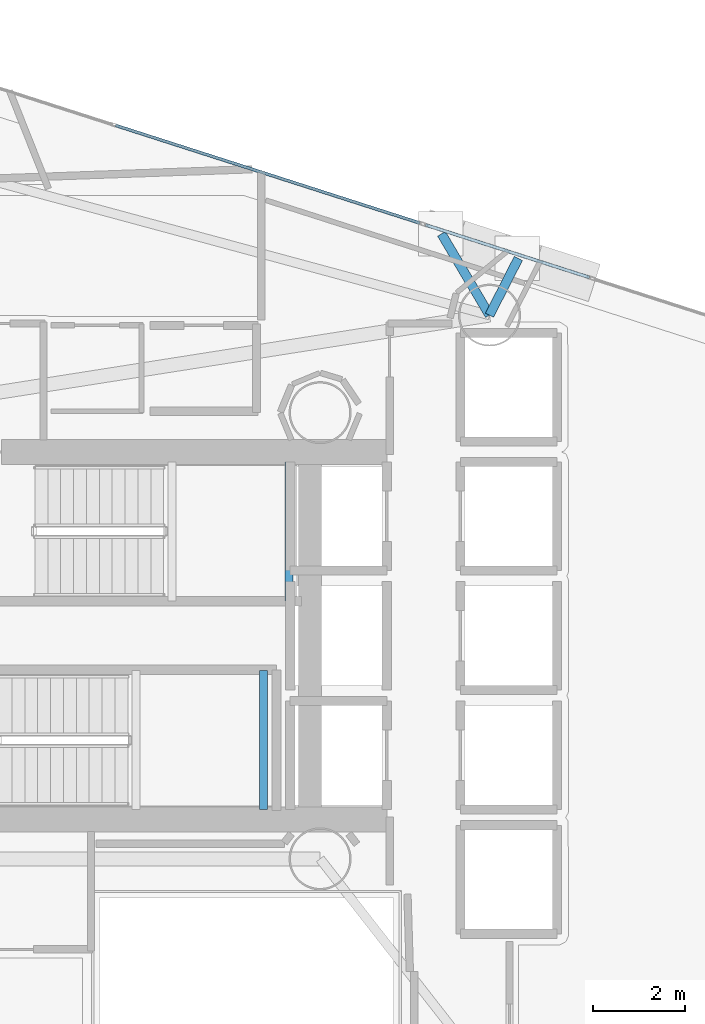
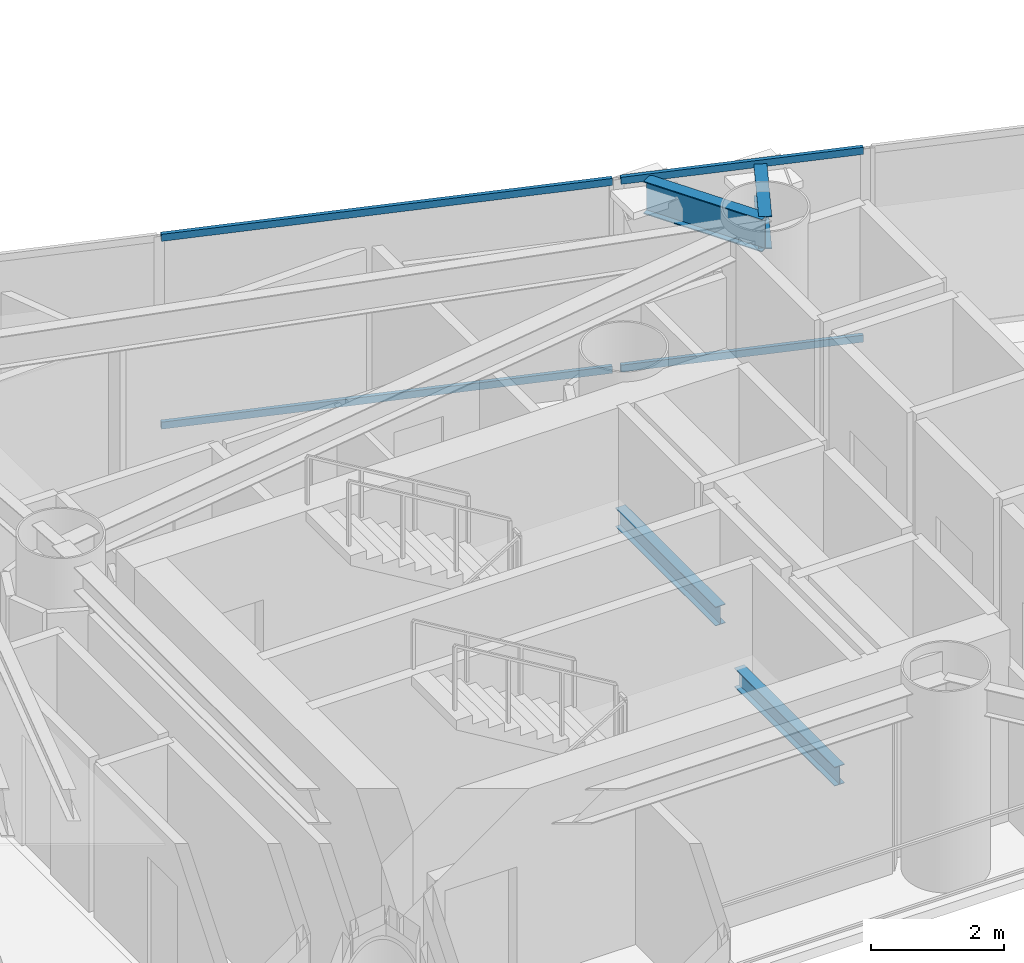
# One storey, part 13 of 22: 4 beams, 4 members, 2 elements without a shape of their own.
"""IFC4 building model written with IfcOpenShell, lengths in metres."""

from ifc_helpers import new_model, si_unit, direction, frame, origin, origin_2d, place, context, subcontext, project, spatial, hollow_rectangle, i_section, extrude, material, layer, layer_set, material_profile, profile_set, type_object, element, aggregate, save


model = new_model("IFC4")

# Units and contexts
model_context = context("Model", 3, precision=1e-05, world=origin(), true_north=direction((0.0, 1.0)))
body_context = subcontext(model_context, "Body", "Model", "MODEL_VIEW")
ifc_project = project(units=[si_unit("LENGTHUNIT", "METRE"), si_unit("AREAUNIT", "SQUARE_METRE"), si_unit("VOLUMEUNIT", "CUBIC_METRE"), si_unit("PLANEANGLEUNIT", "RADIAN"), si_unit("MASSUNIT", "GRAM", prefix="KILO")], contexts=[model_context])

# Site, building, storey
site_placement = place(None, origin())
site = spatial("IfcSite", under=ifc_project, at=site_placement, CompositionType="ELEMENT")
building_placement = place(site_placement, origin())
building = spatial("IfcBuilding", under=site, at=building_placement, Name="Qianvela Tower", CompositionType="ELEMENT")
storey_placement = place(building_placement, frame((0.0, 0.0, 173.5)))
storey = spatial("IfcBuildingStorey", under=building, at=storey_placement, Name="L44", CompositionType="ELEMENT", Elevation=173.5)

# Beams
ifc_material_1 = material(Name="Steel Q355B", Category="steel")
ifc_material_profile_1 = material_profile(ifc_material_1, i_section(OverallWidth=0.175048828125, OverallDepth=0.35009765625, WebThickness=0.007080078125, FlangeThickness=0.010986328125, at=origin_2d()), Name="HN350x175x7x11")
ifc_profile_set_1 = profile_set([ifc_material_profile_1], Name="Steel Q355B")
beam_type_1 = type_object("IfcBeamType", Name="BM-HN350-JOIST", PredefinedType="JOIST", material=ifc_profile_set_1)
for number, where, z_axis, x_axis, name in (
    (1, (37.719970703125, 29.4599609375, 1.47509765625), (0.0, 1.0, 0.0), (-1.0, 0.0, 0.0), "L44 Stair ST-1 Landing Support Beam 1.2"),
    (2, (37.169921875, 24.919921875, 1.47509765625), (0.0, 1.0, 0.0), (-1.0, 0.0, 0.0), "L44 Stair ST-2 Landing Support Beam 1.2"),
):
    element("IfcBeam", number, at=place(storey_placement, frame(where, z_axis=z_axis, x_axis=x_axis)), inside=storey, type_object=beam_type_1, Name=name, PredefinedType="JOIST", context=body_context, shape_type="SweptSolid", body=[
        extrude(i_section(OverallWidth=0.175048828125, OverallDepth=0.35009765625, WebThickness=0.007080078125, FlangeThickness=0.010986328125, at=origin_2d()), origin(), (0.0, 0.0, 1.0), 3.02001953125),
    ])
ifc_material_2 = material(Name="Steel Q355B", Category="steel")
ifc_material_profile_2 = material_profile(ifc_material_2, i_section(OverallWidth=0.199951171875, OverallDepth=0.60009765625, WebThickness=0.010986328125, FlangeThickness=0.01708984375, at=origin_2d()), Name="HN600x200x11x17")
ifc_profile_set_2 = profile_set([ifc_material_profile_2], Name="Steel Q355B")
beam_type_2 = type_object("IfcBeamType", Name="BM-HN600-GIRD", PredefinedType="BEAM", material=ifc_profile_set_2)
beam_1_placement = place(storey_placement, frame((42.0830078125, 35.6689453125, 3.218017578125), z_axis=(0.453208618464, 0.891404480665, 0.0), x_axis=(-0.891404480665, 0.453208618464, 0.0)))
element("IfcBeam", 3, at=beam_1_placement, inside=storey, type_object=beam_type_2, Name="L44 Mega-Brace Column Tie Bracket F1-1", PredefinedType="BEAM", context=body_context, shape_type="SweptSolid", body=[
    extrude(i_section(OverallWidth=0.199951171875, OverallDepth=0.60009765625, WebThickness=0.010986328125, FlangeThickness=0.01708984375, at=origin_2d()), origin(), (0.0, 0.0, 1.0), 1.38232421875),
])
beam_2_placement = place(storey_placement, frame((42.0830078125, 35.6689453125, 3.218017578125), z_axis=(-0.50786732557, 0.86143530205, 0.0), x_axis=(-0.86143530205, -0.50786732557, 0.0)))
element("IfcBeam", 4, at=beam_2_placement, inside=storey, type_object=beam_type_2, Name="L44 Mega-Brace Column Tie Bracket F1-2", PredefinedType="BEAM", context=body_context, shape_type="SweptSolid", body=[
    extrude(i_section(OverallWidth=0.199951171875, OverallDepth=0.60009765625, WebThickness=0.010986328125, FlangeThickness=0.01708984375, at=origin_2d()), origin(), (0.0, 0.0, 1.0), 2.05224609375),
])

# Curtain wall, members
ifc_material_3 = material(Name="Anodised Architectural Aluminium and Insulated Spandrel Panel", Category="aluminium")
ifc_layer_1 = layer(ifc_material_3, 0.179931640625)
ifc_layer_set_1 = layer_set([ifc_layer_1], Name="Anodised Architectural Aluminium and Insulated Spandrel Panel")
curtain_wall_type_1 = type_object("IfcCurtainWallType", Name="CW-BRACEBAY", PredefinedType="USERDEFINED", material=ifc_layer_set_1)
curtain_wall_1_placement = place(storey_placement, origin())
curtain_wall_1 = element("IfcCurtainWall", 5, at=curtain_wall_1_placement, inside=storey, type_object=curtain_wall_type_1, Name="L44 CW-BRACEBAY Curtain Wall 02B", ObjectType="CURTAIN_WALL_SYSTEM", PredefinedType="USERDEFINED")
ifc_material_4 = material(Name="Anodised Architectural Aluminium 6063-T6", Category="aluminium")
ifc_material_profile_3 = material_profile(ifc_material_4, hollow_rectangle(XDim=0.06494140625, YDim=0.1298828125, WallThickness=0.00439453125, at=origin_2d()), Name="ALU-TRAN-65x130")
ifc_profile_set_3 = profile_set([ifc_material_profile_3], Name="Anodised Architectural Aluminium 6063-T6")
member_type_1 = type_object("IfcMemberType", Name="CW-BRACEBAY-TRAN", PredefinedType="USERDEFINED", material=ifc_profile_set_3)
member_1_placement = place(storey_placement, frame((44.256591796875, 36.48876953125, 0.032470703125), z_axis=(-0.952168378989, 0.305573850408, 0.0), x_axis=(-0.305573850408, -0.952168378989, 0.0)))
member_1 = element("IfcMember", 6, at=member_1_placement, type_object=member_type_1, Name="CW-9 transom 1.1", ObjectType="TRANSOM", PredefinedType="USERDEFINED", context=body_context, shape_type="SweptSolid", body=[
    extrude(hollow_rectangle(XDim=0.06494140625, YDim=0.1298828125, WallThickness=0.00439453125, at=origin_2d()), origin(), (0.0, 0.0, 1.0), 3.739990234375),
])
member_2_placement = place(storey_placement, frame((44.256591796875, 36.48876953125, 3.487548828125), z_axis=(-0.952168378989, 0.305573850408, 0.0), x_axis=(-0.305573850408, -0.952168378989, 0.0)))
member_2 = element("IfcMember", 7, at=member_2_placement, type_object=member_type_1, Name="CW-9 transom 1.2", ObjectType="TRANSOM", PredefinedType="USERDEFINED", context=body_context, shape_type="SweptSolid", body=[
    extrude(hollow_rectangle(XDim=0.06494140625, YDim=0.1298828125, WallThickness=0.00439453125, at=origin_2d()), origin(), (0.0, 0.0, 1.0), 3.739990234375),
])
aggregate(curtain_wall_1, [member_1, member_2])

ifc_material_5 = material(Name="Anodised Architectural Aluminium and Low-E Glass", Category="aluminium")
ifc_layer_2 = layer(ifc_material_5, 0.169921875)
ifc_layer_set_2 = layer_set([ifc_layer_2], Name="Anodised Architectural Aluminium and Low-E Glass")
curtain_wall_type_2 = type_object("IfcCurtainWallType", Name="CW-COLIV-Z34", PredefinedType="USERDEFINED", material=ifc_layer_set_2)
curtain_wall_2_placement = place(storey_placement, origin())
curtain_wall_2 = element("IfcCurtainWall", 8, at=curtain_wall_2_placement, inside=storey, type_object=curtain_wall_type_2, Name="L44 CW-COLIV-Z34 Curtain Wall 02C", ObjectType="CURTAIN_WALL_SYSTEM", PredefinedType="USERDEFINED")
ifc_material_6 = material(Name="Anodised Architectural Aluminium 6063-T6", Category="aluminium")
ifc_material_profile_4 = material_profile(ifc_material_6, hollow_rectangle(XDim=0.06494140625, YDim=0.1298828125, WallThickness=0.00439453125, at=origin_2d()), Name="ALU-TRAN-65x130")
ifc_profile_set_4 = profile_set([ifc_material_profile_4], Name="Anodised Architectural Aluminium 6063-T6")
member_type_2 = type_object("IfcMemberType", Name="CW-COLIV-Z34-TRAN", PredefinedType="USERDEFINED", material=ifc_profile_set_4)
member_3_placement = place(storey_placement, frame((40.57177734375, 37.671142578125, 0.032470703125), z_axis=(-0.95216327904, 0.305589741398, 0.0), x_axis=(-0.305589741398, -0.95216327904, 0.0)))
member_3 = element("IfcMember", 9, at=member_3_placement, type_object=member_type_2, Name="CW-4 transom 1.1", ObjectType="TRANSOM", PredefinedType="USERDEFINED", context=body_context, shape_type="SweptSolid", body=[
    extrude(hollow_rectangle(XDim=0.06494140625, YDim=0.1298828125, WallThickness=0.00439453125, at=origin_2d()), origin(), (0.0, 0.0, 1.0), 6.952880859375),
])
member_4_placement = place(storey_placement, frame((40.57177734375, 37.671142578125, 3.487548828125), z_axis=(-0.95216327904, 0.305589741398, 0.0), x_axis=(-0.305589741398, -0.95216327904, 0.0)))
member_4 = element("IfcMember", 10, at=member_4_placement, type_object=member_type_2, Name="CW-4 transom 1.2", ObjectType="TRANSOM", PredefinedType="USERDEFINED", context=body_context, shape_type="SweptSolid", body=[
    extrude(hollow_rectangle(XDim=0.06494140625, YDim=0.1298828125, WallThickness=0.00439453125, at=origin_2d()), origin(), (0.0, 0.0, 1.0), 6.952880859375),
])
aggregate(curtain_wall_2, [member_3, member_4])

save(model, "model.ifc")
